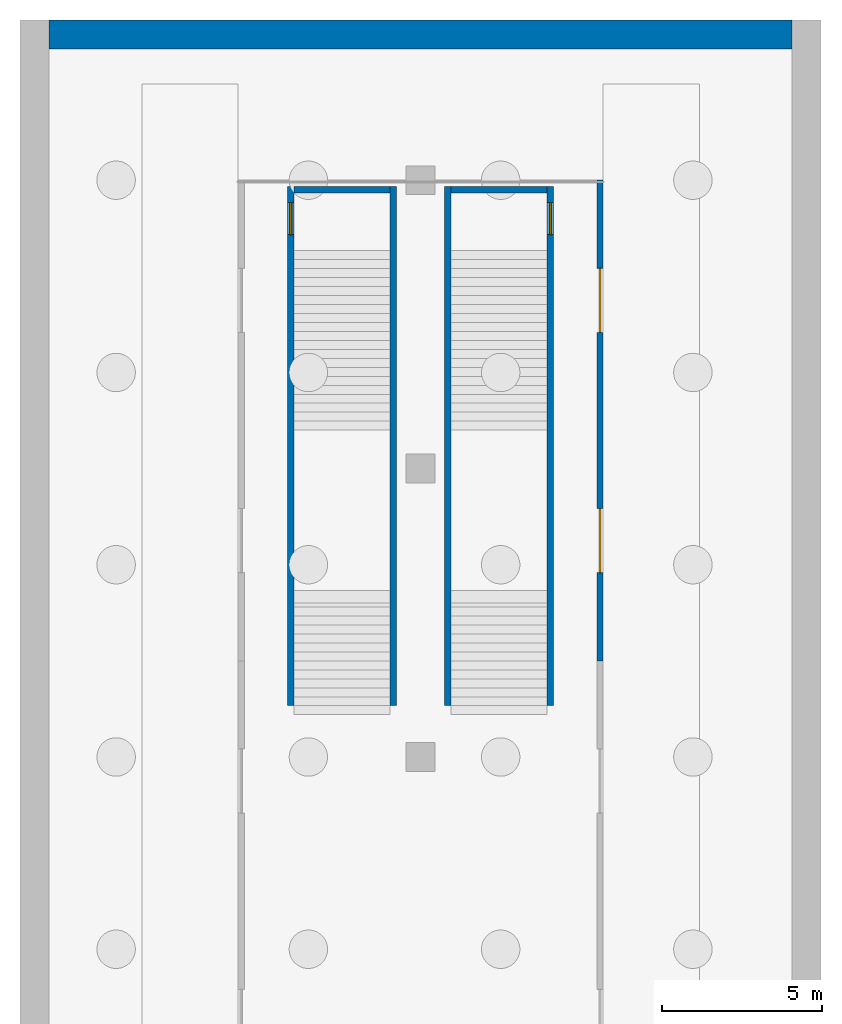
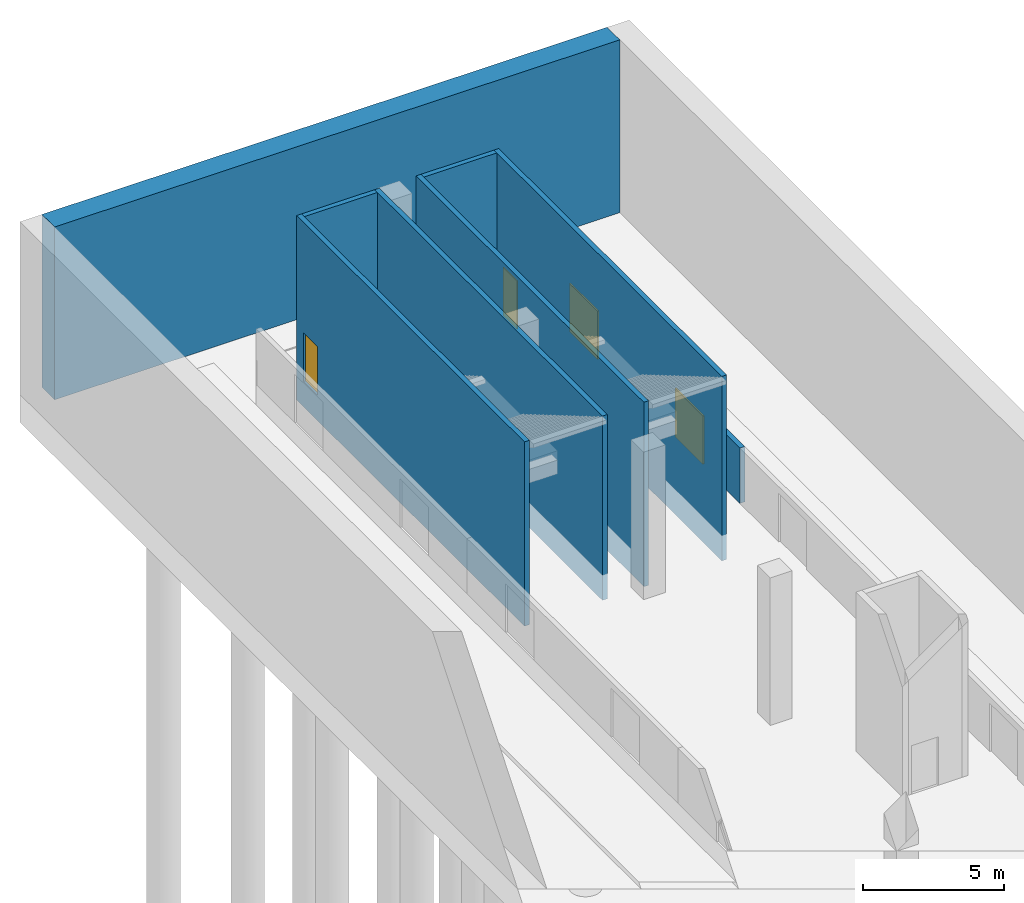
# One storey, part 6 of 16: 8 walls, 2 doors, 2 windows, 4 openings.
"""IFC4 building model written with IfcOpenShell, lengths in metres."""

from ifc_helpers import new_model, si_unit, direction, frame, frame_2d, origin, place, context, subcontext, project, spatial, rectangle, extrude, material, layer, layer_set, type_object, element, fill, save


model = new_model("IFC4")

# Units and contexts
model_context = context("Model", 3, precision=1e-05, world=origin(), true_north=direction((0.0, 1.0)))
body_context = subcontext(model_context, "Body", "Model", "MODEL_VIEW")
ifc_project = project(units=[si_unit("LENGTHUNIT", "METRE"), si_unit("AREAUNIT", "SQUARE_METRE"), si_unit("VOLUMEUNIT", "CUBIC_METRE"), si_unit("PLANEANGLEUNIT", "RADIAN"), si_unit("MASSUNIT", "GRAM", prefix="KILO")], contexts=[model_context])

# Site, building, storey
site_placement = place(None, origin())
site = spatial("IfcSite", under=ifc_project, at=site_placement, CompositionType="ELEMENT")
building_placement = place(site_placement, origin())
building = spatial("IfcBuilding", under=site, at=building_placement, Name="Ogive Plaza Stadium", CompositionType="ELEMENT")
storey_placement = place(building_placement, frame((0.0, 0.0, -11.39990234375)))
storey = spatial("IfcBuildingStorey", under=building, at=storey_placement, Name="B2", CompositionType="ELEMENT", Elevation=-11.39990234375)

# Wall
ifc_material_1 = material(Name="Concrete C35/45", Category="concrete")
ifc_layer_1 = layer(ifc_material_1, 0.89990234375)
ifc_layer_set_1 = layer_set([ifc_layer_1], Name="Concrete C35/45")
wall_type_1 = type_object("IfcWallType", Name="Diaphragm wall 900", PredefinedType="STANDARD", material=ifc_layer_set_1)
wall_1_placement = place(storey_placement, frame((95.89990234375, 49.550048828125, -1.10009765625), z_axis=(0.0, 0.0, 1.0), x_axis=(1.0, 0.0, 0.0)))
element("IfcWall", 1, at=wall_1_placement, inside=storey, type_object=wall_type_1, Name="Diaphragm wall 900 B2 north", PredefinedType="STANDARD", context=body_context, shape_type="SweptSolid", body=[
    extrude(rectangle(XDim=23.2001953125, YDim=0.89990234375, at=frame_2d((11.60009765625, 0.0))), origin(), (0.0, 0.0, 1.0), 7.5),
])

# Wall, openings, windows
ifc_material_2 = material(Name="Laminated glass screen", Category="glass")
ifc_layer_2 = layer(ifc_material_2, 0.199951171875)
ifc_layer_set_2 = layer_set([ifc_layer_2], Name="Platform screen wall 200")
wall_type_2 = type_object("IfcWallType", Name="Platform screen wall 200", PredefinedType="PARTITIONING", material=ifc_layer_set_2)
wall_2_placement = place(storey_placement, frame((113.10009765625, 30.0, 0.0), z_axis=(0.0, 0.0, 1.0), x_axis=(0.0, 1.0, 0.0)))
wall_2 = element("IfcWall", 2, at=wall_2_placement, inside=storey, type_object=wall_type_2, Name="Platform screen wall 12", PredefinedType="PARTITIONING", context=body_context, shape_type="SweptSolid", body=[
    extrude(rectangle(XDim=15.0, YDim=0.199951171875, at=frame_2d((7.5, 0.0))), origin(), (0.0, 0.0, 1.0), 2.39990234375),
])
opening_1_placement = place(wall_2_placement, frame((2.75, 0.0, 0.0)))
opening_1 = element("IfcOpeningElement", 3, at=opening_1_placement, cuts=wall_2, Name="Opening PSG23", PredefinedType="OPENING", context=body_context, shape_type="SweptSolid", body=[
    extrude(rectangle(XDim=2.0, YDim=2.10009765625, at=frame_2d((1.0, 1.050048828125))), frame((0.0, 0.10009765625, 0.0), z_axis=(0.0, -1.0, 0.0), x_axis=(1.0, 0.0, 0.0)), (0.0, 0.0, 1.0), 0.199951171875),
])
opening_2_placement = place(wall_2_placement, frame((10.25, 0.0, 0.0)))
opening_2 = element("IfcOpeningElement", 4, at=opening_2_placement, cuts=wall_2, Name="Opening PSG24", PredefinedType="OPENING", context=body_context, shape_type="SweptSolid", body=[
    extrude(rectangle(XDim=2.0, YDim=2.10009765625, at=frame_2d((1.0, 1.050048828125))), frame((0.0, 0.10009765625, 0.0), z_axis=(0.0, -1.0, 0.0), x_axis=(1.0, 0.0, 0.0)), (0.0, 0.0, 1.0), 0.199951171875),
])
ifc_material_3 = material(Name="Laminated glass and steel frame", Category="steel")
window_type = type_object("IfcWindowType", Name="Platform screen glazing 2000x2100", PartitioningType="DOUBLE_PANEL_HORIZONTAL", PredefinedType="WINDOW", material=ifc_material_3)
window_1_placement = place(opening_1_placement, origin())
window_1 = element("IfcWindow", 5, at=window_1_placement, inside=storey, type_object=window_type, Name="Platform screen glazing PSG23", OverallHeight=2.10009765625, OverallWidth=2.0, PartitioningType="DOUBLE_PANEL_HORIZONTAL", PredefinedType="WINDOW", context=body_context, shape_type="SweptSolid", body=[
    extrude(rectangle(XDim=2.0, YDim=2.10009765625, at=frame_2d((1.0, 1.050048828125))), frame((0.0, 0.030029296875, 0.0), z_axis=(0.0, -1.0, 0.0), x_axis=(1.0, 0.0, 0.0)), (0.0, 0.0, 1.0), 0.06005859375),
])
fill(opening_1, window_1)
window_2_placement = place(opening_2_placement, origin())
window_2 = element("IfcWindow", 6, at=window_2_placement, inside=storey, type_object=window_type, Name="Platform screen glazing PSG24", OverallHeight=2.10009765625, OverallWidth=2.0, PartitioningType="DOUBLE_PANEL_HORIZONTAL", PredefinedType="WINDOW", context=body_context, shape_type="SweptSolid", body=[
    extrude(rectangle(XDim=2.0, YDim=2.10009765625, at=frame_2d((1.0, 1.050048828125))), frame((0.0, 0.030029296875, 0.0), z_axis=(0.0, -1.0, 0.0), x_axis=(1.0, 0.0, 0.0)), (0.0, 0.0, 1.0), 0.06005859375),
])
fill(opening_2, window_2)

# Wall, opening, door
ifc_material_4 = material(Name="Concrete C40/50", Category="concrete")
ifc_layer_3 = layer(ifc_material_4, 0.199951171875)
ifc_layer_set_3 = layer_set([ifc_layer_3], Name="Concrete C40/50")
wall_type_3 = type_object("IfcWallType", Name="Stair enclosure wall 200", PredefinedType="SHEAR", material=ifc_layer_set_3)
wall_3_placement = place(storey_placement, frame((103.449951171875, 28.60009765625, -1.10009765625), z_axis=(0.0, 0.0, 1.0), x_axis=(0.0, 1.0, 0.0)))
wall_3 = element("IfcWall", 7, at=wall_3_placement, inside=storey, type_object=wall_type_3, Name="Stair enclosure wall 200 B2 west", PredefinedType="SHEAR", context=body_context, shape_type="SweptSolid", body=[
    extrude(rectangle(XDim=16.199951171875, YDim=0.199951171875, at=frame_2d((8.10009765625, 0.0))), origin(), (0.0, 0.0, 1.0), 8.0),
])
opening_3_placement = place(wall_3_placement, frame((14.699951171875, 0.0, 1.10009765625)))
opening_3 = element("IfcOpeningElement", 8, at=opening_3_placement, cuts=wall_3, Name="Opening SD005", PredefinedType="OPENING", context=body_context, shape_type="SweptSolid", body=[
    extrude(rectangle(XDim=1.0, YDim=2.10009765625, at=frame_2d((0.5, 1.050048828125))), frame((0.0, 0.10009765625, 0.0), z_axis=(0.0, -1.0, 0.0), x_axis=(1.0, 0.0, 0.0)), (0.0, 0.0, 1.0), 0.199951171875),
])
ifc_material_5 = material(Name="Steel ASTM A572 Grade 50", Category="steel")
door_type = type_object("IfcDoorType", Name="Fire door FD60 1000 x 2100", OperationType="SINGLE_SWING_LEFT", PredefinedType="DOOR", material=ifc_material_5)
door_1_placement = place(opening_3_placement, origin())
door_1 = element("IfcDoor", 9, at=door_1_placement, inside=storey, type_object=door_type, Name="Door SD005", OperationType="SINGLE_SWING_RIGHT", OverallHeight=2.10009765625, OverallWidth=1.0, PredefinedType="DOOR", context=body_context, shape_type="SweptSolid", body=[
    extrude(rectangle(XDim=1.0, YDim=2.10009765625, at=frame_2d((0.5, 1.050048828125))), frame((0.0, 0.02490234375, 0.0), z_axis=(0.0, -1.0, 0.0), x_axis=(1.0, 0.0, 0.0)), (0.0, 0.0, 1.0), 0.050048828125),
])
fill(opening_3, door_1)

# Walls
wall_4_placement = place(storey_placement, frame((106.64990234375, 28.60009765625, -1.10009765625), z_axis=(0.0, 0.0, 1.0), x_axis=(0.0, 1.0, 0.0)))
element("IfcWall", 10, at=wall_4_placement, inside=storey, type_object=wall_type_3, Name="Stair enclosure wall 200 B2 east", PredefinedType="SHEAR", context=body_context, shape_type="SweptSolid", body=[
    extrude(rectangle(XDim=16.199951171875, YDim=0.199951171875, at=frame_2d((8.10009765625, 0.0))), origin(), (0.0, 0.0, 1.0), 8.0),
])
wall_5_placement = place(storey_placement, frame((103.550048828125, 44.699951171875, -1.10009765625), z_axis=(0.0, 0.0, 1.0), x_axis=(1.0, 0.0, 0.0)))
element("IfcWall", 11, at=wall_5_placement, inside=storey, type_object=wall_type_3, Name="Stair enclosure wall 200 B2 north", PredefinedType="SHEAR", context=body_context, shape_type="SweptSolid", body=[
    extrude(rectangle(XDim=3.0, YDim=0.199951171875, at=frame_2d((1.5, 0.0))), origin(), (0.0, 0.0, 1.0), 8.0),
])
wall_6_placement = place(storey_placement, frame((108.35009765625, 28.60009765625, -1.10009765625), z_axis=(0.0, 0.0, 1.0), x_axis=(0.0, 1.0, 0.0)))
element("IfcWall", 12, at=wall_6_placement, inside=storey, type_object=wall_type_3, Name="Stair enclosure wall 200 B2 west", PredefinedType="SHEAR", context=body_context, shape_type="SweptSolid", body=[
    extrude(rectangle(XDim=16.199951171875, YDim=0.199951171875, at=frame_2d((8.10009765625, 0.0))), origin(), (0.0, 0.0, 1.0), 8.0),
])

# Wall, opening, door
wall_7_placement = place(storey_placement, frame((111.550048828125, 28.60009765625, -1.10009765625), z_axis=(0.0, 0.0, 1.0), x_axis=(0.0, 1.0, 0.0)))
wall_7 = element("IfcWall", 13, at=wall_7_placement, inside=storey, type_object=wall_type_3, Name="Stair enclosure wall 200 B2 east", PredefinedType="SHEAR", context=body_context, shape_type="SweptSolid", body=[
    extrude(rectangle(XDim=16.199951171875, YDim=0.199951171875, at=frame_2d((8.10009765625, 0.0))), origin(), (0.0, 0.0, 1.0), 8.0),
])
opening_4_placement = place(wall_7_placement, frame((14.699951171875, 0.0, 1.10009765625)))
opening_4 = element("IfcOpeningElement", 14, at=opening_4_placement, cuts=wall_7, Name="Opening SD007", PredefinedType="OPENING", context=body_context, shape_type="SweptSolid", body=[
    extrude(rectangle(XDim=1.0, YDim=2.10009765625, at=frame_2d((0.5, 1.050048828125))), frame((0.0, 0.10009765625, 0.0), z_axis=(0.0, -1.0, 0.0), x_axis=(1.0, 0.0, 0.0)), (0.0, 0.0, 1.0), 0.199951171875),
])
door_2_placement = place(opening_4_placement, origin())
door_2 = element("IfcDoor", 15, at=door_2_placement, inside=storey, type_object=door_type, Name="Door SD007", OperationType="SINGLE_SWING_LEFT", OverallHeight=2.10009765625, OverallWidth=1.0, PredefinedType="DOOR", context=body_context, shape_type="SweptSolid", body=[
    extrude(rectangle(XDim=1.0, YDim=2.10009765625, at=frame_2d((0.5, 1.050048828125))), frame((0.0, 0.02490234375, 0.0), z_axis=(0.0, -1.0, 0.0), x_axis=(1.0, 0.0, 0.0)), (0.0, 0.0, 1.0), 0.050048828125),
])
fill(opening_4, door_2)

# Wall
wall_8_placement = place(storey_placement, frame((108.449951171875, 44.699951171875, -1.10009765625), z_axis=(0.0, 0.0, 1.0), x_axis=(1.0, 0.0, 0.0)))
element("IfcWall", 16, at=wall_8_placement, inside=storey, type_object=wall_type_3, Name="Stair enclosure wall 200 B2 north", PredefinedType="SHEAR", context=body_context, shape_type="SweptSolid", body=[
    extrude(rectangle(XDim=3.0, YDim=0.199951171875, at=frame_2d((1.5, 0.0))), origin(), (0.0, 0.0, 1.0), 8.0),
])

save(model, "model.ifc")
